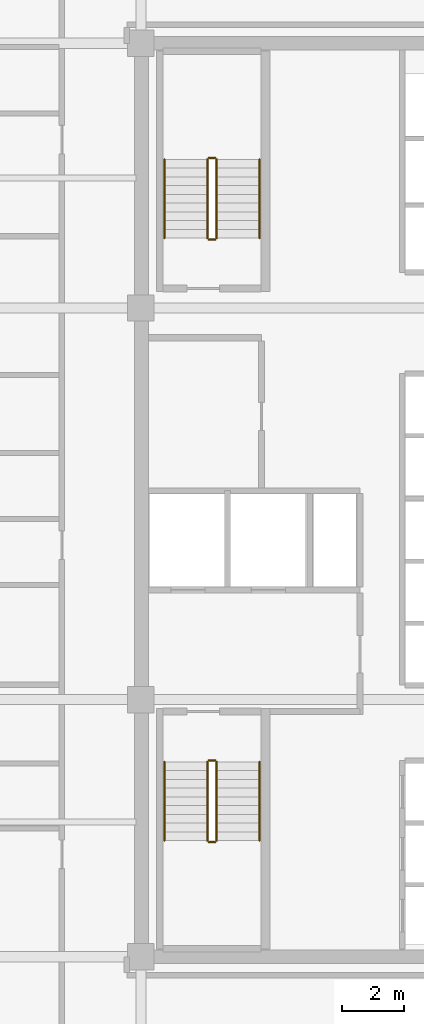
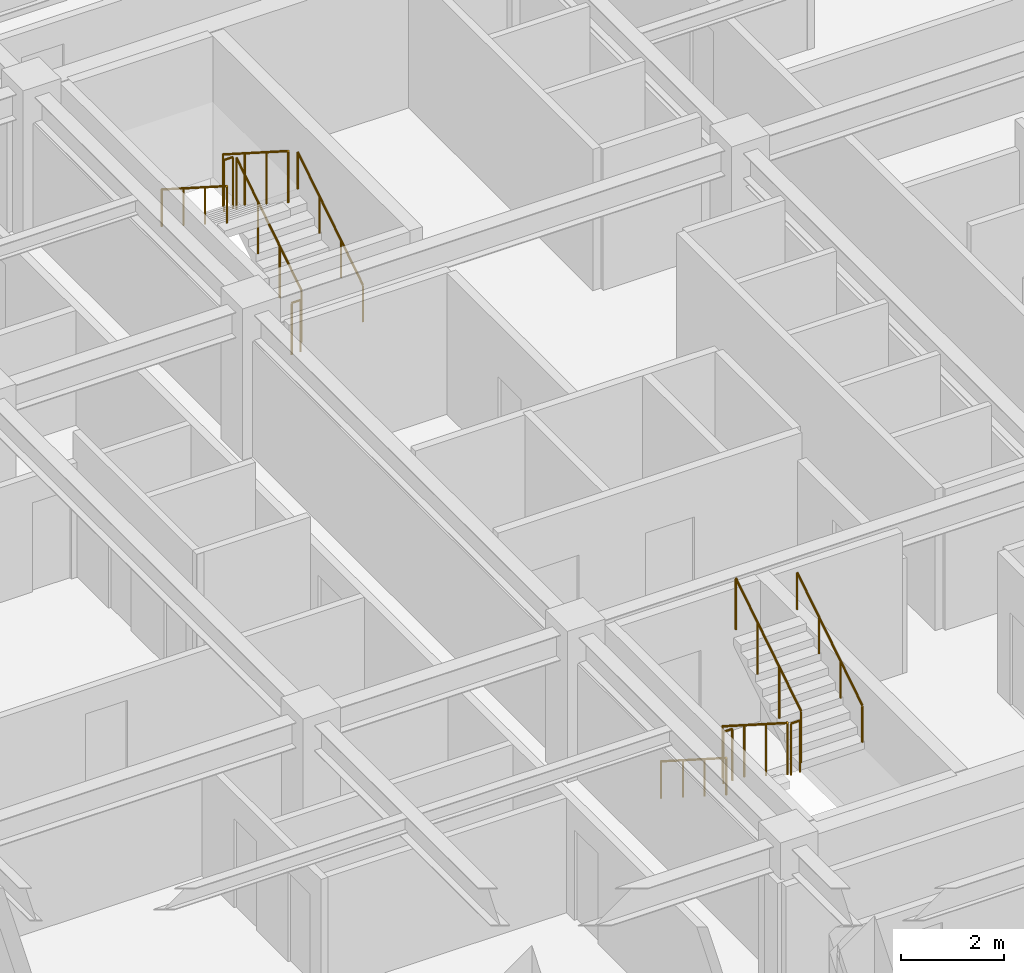
# One storey, part 9 of 9: 12 railings.
"""IFC4 building model written with IfcOpenShell, lengths in metres."""

from ifc_helpers import new_model, si_unit, direction, frame, origin, origin_2d, place, context, subcontext, project, spatial, circle, extrude, material, type_object, element, save


model = new_model("IFC4")

# Units and contexts
model_context = context("Model", 3, precision=1e-05, world=origin(), true_north=direction((0.0, 1.0)))
body_context = subcontext(model_context, "Body", "Model", "MODEL_VIEW")
ifc_project = project(units=[si_unit("LENGTHUNIT", "METRE"), si_unit("AREAUNIT", "SQUARE_METRE"), si_unit("VOLUMEUNIT", "CUBIC_METRE"), si_unit("PLANEANGLEUNIT", "RADIAN"), si_unit("MASSUNIT", "GRAM", prefix="KILO")], contexts=[model_context])

# Site, building, storey
site_placement = place(None, origin())
site = spatial("IfcSite", under=ifc_project, at=site_placement, CompositionType="ELEMENT")
building_placement = place(site_placement, origin())
building = spatial("IfcBuilding", under=site, at=building_placement, Name="Ochreholt Gables", CompositionType="ELEMENT")
storey_placement = place(building_placement, frame((0.0, 0.0, 84.0)))
storey = spatial("IfcBuildingStorey", under=building, at=storey_placement, Name="L21", CompositionType="ELEMENT", Elevation=84.0)

# Railings
ifc_material_1 = material(Name="Painted Steel Stair Guardrail", Category="steel")
railing_type_1 = type_object("IfcRailingType", Name="RL-ST-GUARD", PredefinedType="GUARDRAIL", material=ifc_material_1)
railing_1_placement = place(storey_placement, frame((26.35009765625, 15.5400390625, 0.179931640625)))
element("IfcRailing", 1, at=railing_1_placement, inside=storey, type_object=railing_type_1, Name="L21 ST-1 stair guard 1", PredefinedType="GUARDRAIL", context=body_context, shape_type="SweptSolid", body=[
    extrude(circle(Radius=0.02392578125, at=origin_2d()), frame((0.0, 0.0, 1.22607421875), z_axis=(0.0, -0.842912820907, 0.538050161556), x_axis=(1.0, 0.0, 0.0)), (0.0, 0.0, 1.0), 3.010986328125),
    extrude(circle(Radius=0.02099609375, at=origin_2d()), origin(), (0.0, 0.0, 1.0), 1.201904296875),
    extrude(circle(Radius=0.02099609375, at=origin_2d()), frame((0.0, -0.845947265625, 0.5400390625)), (0.0, 0.0, 1.0), 1.201904296875),
    extrude(circle(Radius=0.02099609375, at=origin_2d()), frame((0.0, -1.692138671875, 1.080078125)), (0.0, 0.0, 1.0), 1.201904296875),
    extrude(circle(Radius=0.02099609375, at=origin_2d()), frame((0.0, -2.5380859375, 1.6201171875)), (0.0, 0.0, 1.0), 1.201904296875),
])
railing_2_placement = place(storey_placement, frame((26.39990234375, 12.951904296875, 1.800048828125)))
element("IfcRailing", 2, at=railing_2_placement, inside=storey, type_object=railing_type_1, Name="L21 ST-1 stair guard 2", PredefinedType="GUARDRAIL", context=body_context, shape_type="SweptSolid", body=[
    extrude(circle(Radius=0.02392578125, at=origin_2d()), frame((0.0, 0.0, 1.22607421875), z_axis=(1.0, 0.0, 0.0), x_axis=(0.0, 1.0, 0.0)), (0.0, 0.0, 1.0), 0.2001953125),
    extrude(circle(Radius=0.02099609375, at=origin_2d()), origin(), (0.0, 0.0, 1.0), 1.201904296875),
    extrude(circle(Radius=0.02099609375, at=origin_2d()), frame((0.2001953125, 0.0, 0.0)), (0.0, 0.0, 1.0), 1.201904296875),
])
railing_3_placement = place(storey_placement, frame((26.64990234375, 13.001953125, 1.97998046875)))
element("IfcRailing", 3, at=railing_3_placement, inside=storey, type_object=railing_type_1, Name="L21 ST-1 stair guard 3", PredefinedType="GUARDRAIL", context=body_context, shape_type="SweptSolid", body=[
    extrude(circle(Radius=0.02392578125, at=origin_2d()), frame((0.0, 0.0, 1.22607421875), z_axis=(0.0, 0.842912820907, 0.538050161556), x_axis=(-1.0, 0.0, 0.0)), (0.0, 0.0, 1.0), 3.010986328125),
    extrude(circle(Radius=0.02099609375, at=origin_2d()), origin(), (0.0, 0.0, 1.0), 1.201904296875),
    extrude(circle(Radius=0.02099609375, at=origin_2d()), frame((0.0, 0.845947265625, 0.5400390625)), (0.0, 0.0, 1.0), 1.201904296875),
    extrude(circle(Radius=0.02099609375, at=origin_2d()), frame((0.0, 1.692138671875, 1.080078125)), (0.0, 0.0, 1.0), 1.201904296875),
    extrude(circle(Radius=0.02099609375, at=origin_2d()), frame((0.0, 2.5380859375, 1.6201171875)), (0.0, 0.0, 1.0), 1.201904296875),
])
railing_4_placement = place(storey_placement, frame((26.39990234375, 15.590087890625, 0.0)))
element("IfcRailing", 4, at=railing_4_placement, inside=storey, type_object=railing_type_1, Name="L21 ST-1 stair guard 4", PredefinedType="GUARDRAIL", context=body_context, shape_type="SweptSolid", body=[
    extrude(circle(Radius=0.02392578125, at=origin_2d()), frame((0.0, 0.0, 1.22607421875), z_axis=(1.0, 0.0, 0.0), x_axis=(0.0, 1.0, 0.0)), (0.0, 0.0, 1.0), 0.2001953125),
    extrude(circle(Radius=0.02099609375, at=origin_2d()), origin(), (0.0, 0.0, 1.0), 1.201904296875),
    extrude(circle(Radius=0.02099609375, at=origin_2d()), frame((0.2001953125, 0.0, 0.0)), (0.0, 0.0, 1.0), 1.201904296875),
])
railing_5_placement = place(storey_placement, frame((26.64990234375, 32.4599609375, 0.179931640625)))
element("IfcRailing", 5, at=railing_5_placement, inside=storey, type_object=railing_type_1, Name="L21 ST-2 stair guard 1", PredefinedType="GUARDRAIL", context=body_context, shape_type="SweptSolid", body=[
    extrude(circle(Radius=0.02392578125, at=origin_2d()), frame((0.0, 0.0, 1.22607421875), z_axis=(0.0, 0.842912820907, 0.538050161556), x_axis=(-1.0, 0.0, 0.0)), (0.0, 0.0, 1.0), 3.010986328125),
    extrude(circle(Radius=0.02099609375, at=origin_2d()), origin(), (0.0, 0.0, 1.0), 1.201904296875),
    extrude(circle(Radius=0.02099609375, at=origin_2d()), frame((0.0, 0.845947265625, 0.5400390625)), (0.0, 0.0, 1.0), 1.201904296875),
    extrude(circle(Radius=0.02099609375, at=origin_2d()), frame((0.0, 1.692138671875, 1.080078125)), (0.0, 0.0, 1.0), 1.201904296875),
    extrude(circle(Radius=0.02099609375, at=origin_2d()), frame((0.0, 2.5380859375, 1.6201171875)), (0.0, 0.0, 1.0), 1.201904296875),
])
railing_6_placement = place(storey_placement, frame((26.60009765625, 35.048095703125, 1.800048828125)))
element("IfcRailing", 6, at=railing_6_placement, inside=storey, type_object=railing_type_1, Name="L21 ST-2 stair guard 2", PredefinedType="GUARDRAIL", context=body_context, shape_type="SweptSolid", body=[
    extrude(circle(Radius=0.02392578125, at=origin_2d()), frame((0.0, 0.0, 1.22607421875), z_axis=(-1.0, 0.0, 0.0), x_axis=(0.0, -1.0, 0.0)), (0.0, 0.0, 1.0), 0.2001953125),
    extrude(circle(Radius=0.02099609375, at=origin_2d()), origin(), (0.0, 0.0, 1.0), 1.201904296875),
    extrude(circle(Radius=0.02099609375, at=origin_2d()), frame((-0.2001953125, 0.0, 0.0)), (0.0, 0.0, 1.0), 1.201904296875),
])
railing_7_placement = place(storey_placement, frame((26.35009765625, 34.998046875, 1.97998046875)))
element("IfcRailing", 7, at=railing_7_placement, inside=storey, type_object=railing_type_1, Name="L21 ST-2 stair guard 3", PredefinedType="GUARDRAIL", context=body_context, shape_type="SweptSolid", body=[
    extrude(circle(Radius=0.02392578125, at=origin_2d()), frame((0.0, 0.0, 1.22607421875), z_axis=(0.0, -0.842912820907, 0.538050161556), x_axis=(1.0, 0.0, 0.0)), (0.0, 0.0, 1.0), 3.010986328125),
    extrude(circle(Radius=0.02099609375, at=origin_2d()), origin(), (0.0, 0.0, 1.0), 1.201904296875),
    extrude(circle(Radius=0.02099609375, at=origin_2d()), frame((0.0, -0.845947265625, 0.5400390625)), (0.0, 0.0, 1.0), 1.201904296875),
    extrude(circle(Radius=0.02099609375, at=origin_2d()), frame((0.0, -1.692138671875, 1.080078125)), (0.0, 0.0, 1.0), 1.201904296875),
    extrude(circle(Radius=0.02099609375, at=origin_2d()), frame((0.0, -2.5380859375, 1.6201171875)), (0.0, 0.0, 1.0), 1.201904296875),
])
railing_8_placement = place(storey_placement, frame((26.60009765625, 32.409912109375, 0.0)))
element("IfcRailing", 8, at=railing_8_placement, inside=storey, type_object=railing_type_1, Name="L21 ST-2 stair guard 4", PredefinedType="GUARDRAIL", context=body_context, shape_type="SweptSolid", body=[
    extrude(circle(Radius=0.02392578125, at=origin_2d()), frame((0.0, 0.0, 1.22607421875), z_axis=(-1.0, 0.0, 0.0), x_axis=(0.0, -1.0, 0.0)), (0.0, 0.0, 1.0), 0.2001953125),
    extrude(circle(Radius=0.02099609375, at=origin_2d()), origin(), (0.0, 0.0, 1.0), 1.201904296875),
    extrude(circle(Radius=0.02099609375, at=origin_2d()), frame((-0.2001953125, 0.0, 0.0)), (0.0, 0.0, 1.0), 1.201904296875),
])
ifc_material_2 = material(Name="Brushed Stainless Steel Wall Handrail", Category="steel")
railing_type_2 = type_object("IfcRailingType", Name="RL-ST-HAND", PredefinedType="HANDRAIL", material=ifc_material_2)
railing_9_placement = place(storey_placement, frame((24.969970703125, 15.5400390625, 0.179931640625)))
element("IfcRailing", 9, at=railing_9_placement, inside=storey, type_object=railing_type_2, Name="L21 ST-1 stair handrail 1", PredefinedType="HANDRAIL", context=body_context, shape_type="SweptSolid", body=[
    extrude(circle(Radius=0.02392578125, at=origin_2d()), frame((0.0, 0.0, 0.8759765625), z_axis=(0.0, -0.842912820907, 0.538050161556), x_axis=(1.0, 0.0, 0.0)), (0.0, 0.0, 1.0), 3.010986328125),
    extrude(circle(Radius=0.02099609375, at=origin_2d()), origin(), (0.0, 0.0, 1.0), 0.851806640625),
    extrude(circle(Radius=0.02099609375, at=origin_2d()), frame((0.0, -0.845947265625, 0.5400390625)), (0.0, 0.0, 1.0), 0.851806640625),
    extrude(circle(Radius=0.02099609375, at=origin_2d()), frame((0.0, -1.692138671875, 1.080078125)), (0.0, 0.0, 1.0), 0.851806640625),
    extrude(circle(Radius=0.02099609375, at=origin_2d()), frame((0.0, -2.5380859375, 1.6201171875)), (0.0, 0.0, 1.0), 0.851806640625),
])
for number, where, name in (
    (10, (28.030029296875, 13.001953125, 1.97998046875), "L21 ST-1 stair handrail 2"),
    (11, (28.030029296875, 32.4599609375, 0.179931640625), "L21 ST-2 stair handrail 1"),
):
    element("IfcRailing", number, at=place(storey_placement, frame(where)), inside=storey, type_object=railing_type_2, Name=name, PredefinedType="HANDRAIL", context=body_context, shape_type="SweptSolid", body=[
        extrude(circle(Radius=0.02392578125, at=origin_2d()), frame((0.0, 0.0, 0.8759765625), z_axis=(0.0, 0.842912820907, 0.538050161556), x_axis=(-1.0, 0.0, 0.0)), (0.0, 0.0, 1.0), 3.010986328125),
        extrude(circle(Radius=0.02099609375, at=origin_2d()), origin(), (0.0, 0.0, 1.0), 0.851806640625),
        extrude(circle(Radius=0.02099609375, at=origin_2d()), frame((0.0, 0.845947265625, 0.5400390625)), (0.0, 0.0, 1.0), 0.851806640625),
        extrude(circle(Radius=0.02099609375, at=origin_2d()), frame((0.0, 1.692138671875, 1.080078125)), (0.0, 0.0, 1.0), 0.851806640625),
        extrude(circle(Radius=0.02099609375, at=origin_2d()), frame((0.0, 2.5380859375, 1.6201171875)), (0.0, 0.0, 1.0), 0.851806640625),
    ])
railing_10_placement = place(storey_placement, frame((24.969970703125, 34.998046875, 1.97998046875)))
element("IfcRailing", 12, at=railing_10_placement, inside=storey, type_object=railing_type_2, Name="L21 ST-2 stair handrail 2", PredefinedType="HANDRAIL", context=body_context, shape_type="SweptSolid", body=[
    extrude(circle(Radius=0.02392578125, at=origin_2d()), frame((0.0, 0.0, 0.8759765625), z_axis=(0.0, -0.842912820907, 0.538050161556), x_axis=(1.0, 0.0, 0.0)), (0.0, 0.0, 1.0), 3.010986328125),
    extrude(circle(Radius=0.02099609375, at=origin_2d()), origin(), (0.0, 0.0, 1.0), 0.851806640625),
    extrude(circle(Radius=0.02099609375, at=origin_2d()), frame((0.0, -0.845947265625, 0.5400390625)), (0.0, 0.0, 1.0), 0.851806640625),
    extrude(circle(Radius=0.02099609375, at=origin_2d()), frame((0.0, -1.692138671875, 1.080078125)), (0.0, 0.0, 1.0), 0.851806640625),
    extrude(circle(Radius=0.02099609375, at=origin_2d()), frame((0.0, -2.5380859375, 1.6201171875)), (0.0, 0.0, 1.0), 0.851806640625),
])

save(model, "model.ifc")
